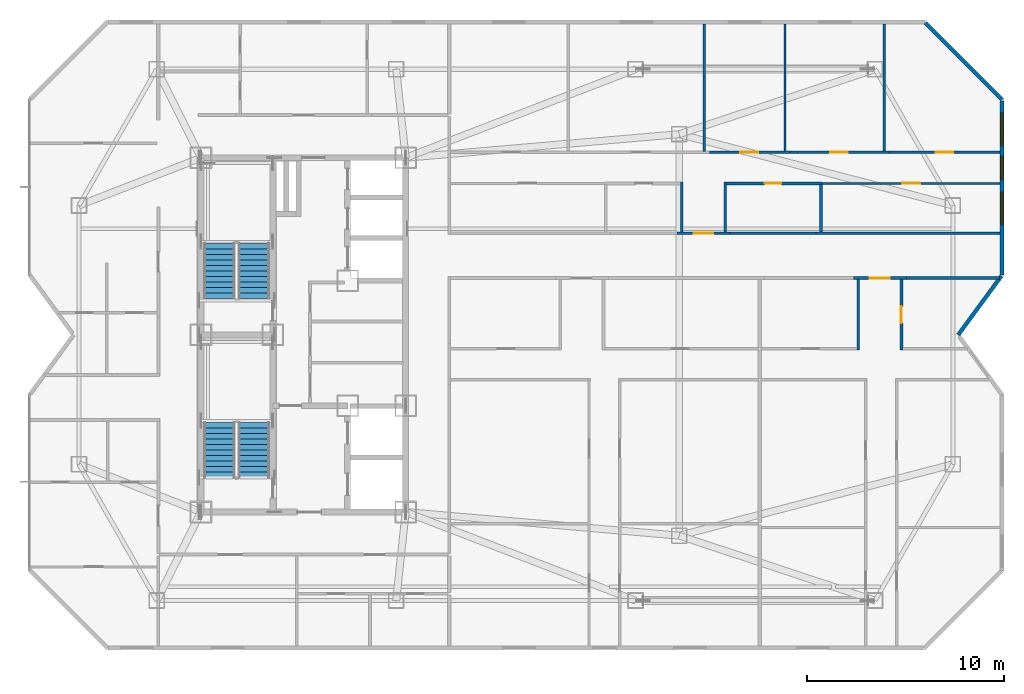
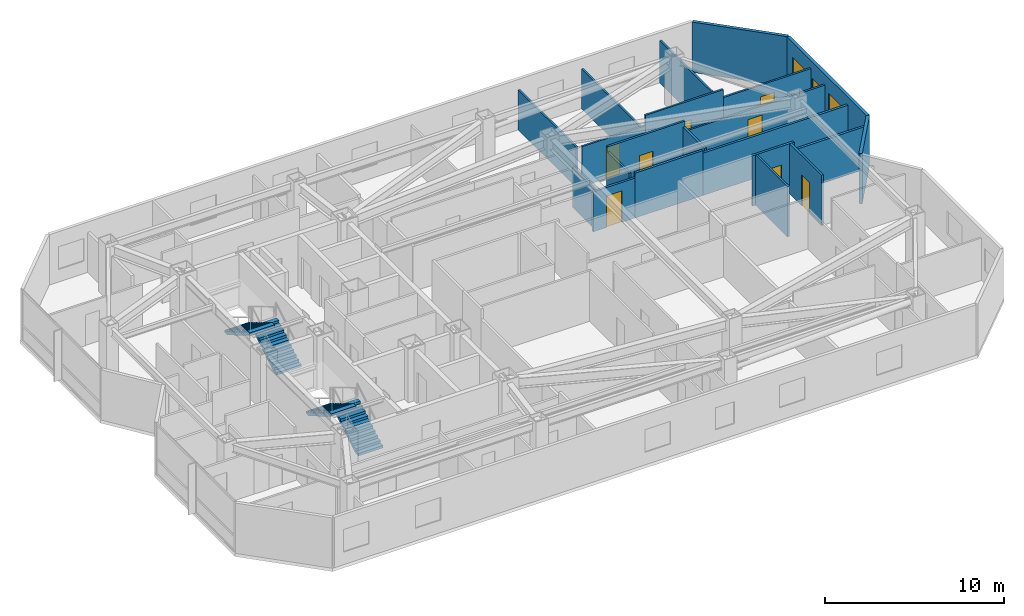
# One storey, part 14 of 15: 21 walls, 8 doors, 4 stair flights, 3 windows, 11 openings, 2 elements without a shape of their own.
"""IFC4 building model written with IfcOpenShell, lengths in metres."""

from ifc_helpers import new_model, si_unit, direction, frame, frame_2d, origin, place, context, subcontext, project, spatial, polyline, rectangle, outline, extrude, material, layer, layer_set, type_object, element, fill, aggregate, save


model = new_model("IFC4")

# Units and contexts
model_context = context("Model", 3, precision=1e-05, world=origin(), true_north=direction((0.0, 1.0)))
body_context = subcontext(model_context, "Body", "Model", "MODEL_VIEW")
ifc_project = project(units=[si_unit("LENGTHUNIT", "METRE"), si_unit("AREAUNIT", "SQUARE_METRE"), si_unit("VOLUMEUNIT", "CUBIC_METRE"), si_unit("PLANEANGLEUNIT", "RADIAN"), si_unit("MASSUNIT", "GRAM", prefix="KILO")], contexts=[model_context])

# Site, building, storey
site_placement = place(None, origin())
site = spatial("IfcSite", under=ifc_project, at=site_placement, CompositionType="ELEMENT")
building_placement = place(site_placement, origin())
building = spatial("IfcBuilding", under=site, at=building_placement, Name="Khamvora Tower", CompositionType="ELEMENT")
storey_placement = place(building_placement, frame((0.0, 0.0, 220.85009765625)))
storey = spatial("IfcBuildingStorey", under=building, at=storey_placement, Name="L56", CompositionType="ELEMENT", Elevation=220.85009765625)

# Wall, opening, door
ifc_material_1 = material(Name="Fire-Rated Drywall and Steel Stud", Category="steel")
ifc_layer_1 = layer(ifc_material_1, 0.14990234375)
ifc_layer_set_1 = layer_set([ifc_layer_1], Name="Fire-Rated Drywall and Steel Stud")
wall_type_1 = type_object("IfcWallType", Name="WAL-CORR-150", PredefinedType="STANDARD", material=ifc_layer_set_1)
wall_1_placement = place(storey_placement, frame((64.840087890625, 30.885009765625, 0.0), z_axis=(0.0, 0.0, 1.0), x_axis=(-1.0, 0.0, 0.0)))
wall_1 = element("IfcWall", 1, at=wall_1_placement, inside=storey, type_object=wall_type_1, Name="L56 interior partition wall 027", PredefinedType="STANDARD", context=body_context, shape_type="SweptSolid", body=[
    extrude(rectangle(XDim=2.697998046875, YDim=0.14990234375, at=frame_2d((1.34912109375, 0.0))), origin(), (0.0, 0.0, 1.0), 3.429931640625),
])
opening_1_placement = place(wall_1_placement, frame((0.84912109375, 0.0, 0.0)))
opening_1 = element("IfcOpeningElement", 2, at=opening_1_placement, cuts=wall_1, Name="Opening D-U1", PredefinedType="OPENING", context=body_context, shape_type="SweptSolid", body=[
    extrude(rectangle(XDim=1.0, YDim=2.14990234375, at=frame_2d((0.5, 1.074951171875))), frame((0.0, 0.0849609375, 0.0), z_axis=(0.0, -1.0, 0.0), x_axis=(1.0, 0.0, 0.0)), (0.0, 0.0, 1.0), 0.169921875),
])
ifc_material_2 = material(Name="Powder-Coated Steel and Hardwood Leaf", Category="steel")
door_type_1 = type_object("IfcDoorType", Name="DOR-UNIT-1000", OperationType="NOTDEFINED", PredefinedType="DOOR", material=ifc_material_2)
door_1_placement = place(opening_1_placement, origin())
door_1 = element("IfcDoor", 3, at=door_1_placement, inside=storey, type_object=door_type_1, Name="L56 interior door COR-56EBH", OperationType="SINGLE_SWING_LEFT", OverallHeight=2.14990234375, OverallWidth=1.0, PredefinedType="DOOR", context=body_context, shape_type="SweptSolid", body=[
    extrude(rectangle(XDim=1.0, YDim=2.14990234375, at=frame_2d((0.5, 1.074951171875))), frame((0.0, 0.02490234375, 0.0), z_axis=(0.0, -1.0, 0.0), x_axis=(1.0, 0.0, 0.0)), (0.0, 0.0, 1.0), 0.050048828125),
])
fill(opening_1, door_1)

# Walls
wall_2_placement = place(storey_placement, frame((69.56396484375, 30.885009765625, 0.0), z_axis=(0.0, 0.0, 1.0), x_axis=(-1.0, 0.0, 0.0)))
element("IfcWall", 4, at=wall_2_placement, inside=storey, type_object=wall_type_1, Name="L56 interior partition wall 028", PredefinedType="STANDARD", context=body_context, shape_type="SweptSolid", body=[
    extrude(rectangle(XDim=4.723876953125, YDim=0.14990234375, at=frame_2d((2.36181640625, 0.0))), origin(), (0.0, 0.0, 1.0), 2.886962890625),
])
wall_3_placement = place(storey_placement, frame((60.2509765625, 33.1650390625, 0.0), z_axis=(0.0, 0.0, 1.0), x_axis=(1.0, 0.0, 0.0)))
element("IfcWall", 5, at=wall_3_placement, inside=storey, type_object=wall_type_1, Name="L56 interior partition wall 032", PredefinedType="STANDARD", context=body_context, shape_type="SweptSolid", body=[
    extrude(rectangle(XDim=9.35693359375, YDim=0.14990234375, at=frame_2d((4.678466796875, 0.0))), origin(), (0.0, 0.0, 1.0), 2.886962890625),
])

# Wall, opening, door
wall_4_placement = place(storey_placement, frame((53.18603515625, 33.1650390625, 0.0), z_axis=(0.0, 0.0, 1.0), x_axis=(1.0, 0.0, 0.0)))
wall_4 = element("IfcWall", 6, at=wall_4_placement, inside=storey, type_object=wall_type_1, Name="L56 interior partition wall 034", PredefinedType="STANDARD", context=body_context, shape_type="SweptSolid", body=[
    extrude(rectangle(XDim=2.697998046875, YDim=0.14990234375, at=frame_2d((1.34912109375, 0.0))), origin(), (0.0, 0.0, 1.0), 2.724853515625),
])
opening_2_placement = place(wall_4_placement, frame((0.84912109375, 0.0, 0.0)))
opening_2 = element("IfcOpeningElement", 7, at=opening_2_placement, cuts=wall_4, Name="Opening D-U1", PredefinedType="OPENING", context=body_context, shape_type="SweptSolid", body=[
    extrude(rectangle(XDim=1.0, YDim=2.14990234375, at=frame_2d((0.5, 1.074951171875))), frame((0.0, 0.0849609375, 0.0), z_axis=(0.0, -1.0, 0.0), x_axis=(1.0, 0.0, 0.0)), (0.0, 0.0, 1.0), 0.169921875),
])
door_2_placement = place(opening_2_placement, origin())
door_2 = element("IfcDoor", 8, at=door_2_placement, inside=storey, type_object=door_type_1, Name="L56 interior door COR-56ECH", OperationType="SINGLE_SWING_RIGHT", OverallHeight=2.14990234375, OverallWidth=1.0, PredefinedType="DOOR", context=body_context, shape_type="SweptSolid", body=[
    extrude(rectangle(XDim=1.0, YDim=2.14990234375, at=frame_2d((0.5, 1.074951171875))), frame((0.0, 0.02490234375, 0.0), z_axis=(0.0, -1.0, 0.0), x_axis=(1.0, 0.0, 0.0)), (0.0, 0.0, 1.0), 0.050048828125),
])
fill(opening_2, door_2)

# Walls
wall_5_placement = place(storey_placement, frame((55.884033203125, 33.1650390625, 0.0), z_axis=(0.0, 0.0, 1.0), x_axis=(1.0, 0.0, 0.0)))
element("IfcWall", 9, at=wall_5_placement, inside=storey, type_object=wall_type_1, Name="L56 interior partition wall 036", PredefinedType="STANDARD", context=body_context, shape_type="SweptSolid", body=[
    extrude(rectangle(XDim=4.366943359375, YDim=0.14990234375, at=frame_2d((2.18359375, 0.0))), origin(), (0.0, 0.0, 1.0), 3.06494140625),
])
ifc_material_3 = material(Name="Precast concrete C40/50", Category="concrete")
ifc_layer_2 = layer(ifc_material_3, 0.199951171875)
ifc_layer_set_2 = layer_set([ifc_layer_2], Name="Precast concrete C40/50")
wall_type_2 = type_object("IfcWallType", Name="WAL-EXT-200", PredefinedType="STANDARD", material=ifc_layer_set_2)
wall_6_placement = place(storey_placement, frame((65.802001953125, 43.85693359375, 0.0), z_axis=(0.0, 0.0, 1.0), x_axis=(0.707106781187, -0.707106781187, 0.0)))
element("IfcWall", 10, at=wall_6_placement, inside=storey, type_object=wall_type_2, Name="L56 exterior facade wall 08.1", PredefinedType="STANDARD", context=body_context, shape_type="SweptSolid", body=[
    extrude(rectangle(XDim=5.512451171875, YDim=0.199951171875, at=frame_2d((2.75634765625, 0.0))), origin(), (0.0, 0.0, 1.0), 3.429931640625),
])

# Wall, openings, windows
wall_7_placement = place(storey_placement, frame((69.699951171875, 39.89599609375, 0.0), z_axis=(0.0, 0.0, 1.0), x_axis=(0.0, -1.0, 0.0)))
wall_7 = element("IfcWall", 11, at=wall_7_placement, inside=storey, type_object=wall_type_2, Name="L56 exterior facade wall 09.1", PredefinedType="STANDARD", context=body_context, shape_type="SweptSolid", body=[
    extrude(rectangle(XDim=8.863037109375, YDim=0.199951171875, at=frame_2d((4.431640625, 0.0))), origin(), (0.0, 0.0, 1.0), 3.429931640625),
])
opening_3_placement = place(wall_7_placement, frame((4.64111328125, 0.0, 0.85009765625)))
opening_3 = element("IfcOpeningElement", 12, at=opening_3_placement, cuts=wall_7, Name="Opening WN-06", PredefinedType="OPENING", context=body_context, shape_type="SweptSolid", body=[
    extrude(rectangle(XDim=1.64990234375, YDim=1.550048828125, at=frame_2d((0.824951171875, 0.77490234375))), frame((0.0, 0.10986328125, 0.0), z_axis=(0.0, -1.0, 0.0), x_axis=(1.0, 0.0, 0.0)), (0.0, 0.0, 1.0), 0.219970703125),
])
opening_4_placement = place(wall_7_placement, frame((2.81103515625, 0.0, 0.800048828125)))
opening_4 = element("IfcOpeningElement", 13, at=opening_4_placement, cuts=wall_7, Name="Opening WN-03", PredefinedType="OPENING", context=body_context, shape_type="SweptSolid", body=[
    extrude(rectangle(XDim=1.199951171875, YDim=1.5, at=frame_2d((0.60009765625, 0.75))), frame((0.0, 0.10986328125, 0.0), z_axis=(0.0, -1.0, 0.0), x_axis=(1.0, 0.0, 0.0)), (0.0, 0.0, 1.0), 0.219970703125),
])
opening_5_placement = place(wall_7_placement, frame((0.6279296875, 0.0, 0.85009765625)))
opening_5 = element("IfcOpeningElement", 14, at=opening_5_placement, cuts=wall_7, Name="Opening WN-06", PredefinedType="OPENING", context=body_context, shape_type="SweptSolid", body=[
    extrude(rectangle(XDim=1.64990234375, YDim=1.550048828125, at=frame_2d((0.824951171875, 0.77490234375))), frame((0.0, 0.10986328125, 0.0), z_axis=(0.0, -1.0, 0.0), x_axis=(1.0, 0.0, 0.0)), (0.0, 0.0, 1.0), 0.219970703125),
])
ifc_material_4 = material(Name="Low-E Laminated Double Glazing", Category="glass")
window_type_1 = type_object("IfcWindowType", Name="WIN-VIS-1200x1500", PartitioningType="SINGLE_PANEL", PredefinedType="WINDOW", material=ifc_material_4)
window_1_placement = place(opening_4_placement, origin())
window_1 = element("IfcWindow", 15, at=window_1_placement, inside=storey, type_object=window_type_1, Name="L56 vision window 09.1.02", OverallHeight=1.5, OverallWidth=1.199951171875, PartitioningType="SINGLE_PANEL", PredefinedType="WINDOW", context=body_context, shape_type="SweptSolid", body=[
    extrude(rectangle(XDim=1.199951171875, YDim=1.5, at=frame_2d((0.60009765625, 0.75))), frame((0.0, 0.030029296875, 0.0), z_axis=(0.0, -1.0, 0.0), x_axis=(1.0, 0.0, 0.0)), (0.0, 0.0, 1.0), 0.06005859375),
])
fill(opening_4, window_1)
window_type_2 = type_object("IfcWindowType", Name="WIN-VIS-1650x1550", PartitioningType="SINGLE_PANEL", PredefinedType="WINDOW", material=ifc_material_4)
window_2_placement = place(opening_3_placement, origin())
window_2 = element("IfcWindow", 16, at=window_2_placement, inside=storey, type_object=window_type_2, Name="L56 vision window 09.1.01", OverallHeight=1.550048828125, OverallWidth=1.64990234375, PartitioningType="SINGLE_PANEL", PredefinedType="WINDOW", context=body_context, shape_type="SweptSolid", body=[
    extrude(rectangle(XDim=1.64990234375, YDim=1.550048828125, at=frame_2d((0.824951171875, 0.77490234375))), frame((0.0, 0.030029296875, 0.0), z_axis=(0.0, -1.0, 0.0), x_axis=(1.0, 0.0, 0.0)), (0.0, 0.0, 1.0), 0.06005859375),
])
fill(opening_3, window_2)
window_3_placement = place(opening_5_placement, origin())
window_3 = element("IfcWindow", 17, at=window_3_placement, inside=storey, type_object=window_type_2, Name="L56 vision window 09.1.03", OverallHeight=1.550048828125, OverallWidth=1.64990234375, PartitioningType="SINGLE_PANEL", PredefinedType="WINDOW", context=body_context, shape_type="SweptSolid", body=[
    extrude(rectangle(XDim=1.64990234375, YDim=1.550048828125, at=frame_2d((0.824951171875, 0.77490234375))), frame((0.0, 0.030029296875, 0.0), z_axis=(0.0, -1.0, 0.0), x_axis=(1.0, 0.0, 0.0)), (0.0, 0.0, 1.0), 0.06005859375),
])
fill(opening_5, window_3)

# Wall
wall_8_placement = place(storey_placement, frame((69.669921875, 30.991943359375, 0.0), z_axis=(0.0, 0.0, 1.0), x_axis=(-0.591320870733, -0.806436375566, 0.0)))
element("IfcWall", 18, at=wall_8_placement, inside=storey, type_object=wall_type_2, Name="L56 exterior facade wall 10.1", PredefinedType="STANDARD", context=body_context, shape_type="SweptSolid", body=[
    extrude(rectangle(XDim=3.7099609375, YDim=0.199951171875, at=frame_2d((1.85498046875, 0.0))), origin(), (0.0, 0.0, 1.0), 3.429931640625),
])

# Wall, opening, door
ifc_material_5 = material(Name="Gypsum Plasterboard Partition", Category="gypsum")
ifc_layer_3 = layer(ifc_material_5, 0.1201171875)
ifc_layer_set_3 = layer_set([ifc_layer_3], Name="Gypsum Plasterboard Partition")
wall_type_3 = type_object("IfcWallType", Name="WAL-PART-120", PredefinedType="PARTITIONING", material=ifc_layer_set_3)
wall_9_placement = place(storey_placement, frame((60.56494140625, 35.695068359375, 0.0), z_axis=(0.0, 0.0, 1.0), x_axis=(1.0, 0.0, 0.0)))
wall_9 = element("IfcWall", 19, at=wall_9_placement, inside=storey, type_object=wall_type_3, Name="L56 interior partition wall 092", PredefinedType="PARTITIONING", context=body_context, shape_type="SweptSolid", body=[
    extrude(rectangle(XDim=9.04296875, YDim=0.1201171875, at=frame_2d((4.521484375, 0.0))), origin(), (0.0, 0.0, 1.0), 2.724853515625),
])
opening_6_placement = place(wall_9_placement, frame((4.071044921875, 0.0, 0.0)))
opening_6 = element("IfcOpeningElement", 20, at=opening_6_placement, cuts=wall_9, Name="Opening D-RM1", PredefinedType="OPENING", context=body_context, shape_type="SweptSolid", body=[
    extrude(rectangle(XDim=0.89990234375, YDim=2.10009765625, at=frame_2d((0.449951171875, 1.050048828125))), frame((0.0, 0.070068359375, 0.0), z_axis=(0.0, -1.0, 0.0), x_axis=(1.0, 0.0, 0.0)), (0.0, 0.0, 1.0), 0.14013671875),
])
door_type_2 = type_object("IfcDoorType", Name="DOR-ROOM-900", OperationType="NOTDEFINED", PredefinedType="DOOR", material=ifc_material_2)
door_3_placement = place(opening_6_placement, origin())
door_3 = element("IfcDoor", 21, at=door_3_placement, inside=storey, type_object=door_type_2, Name="L56 interior door 56ECW2-56ECH", OperationType="SINGLE_SWING_LEFT", OverallHeight=2.10009765625, OverallWidth=0.89990234375, PredefinedType="DOOR", context=body_context, shape_type="SweptSolid", body=[
    extrude(rectangle(XDim=0.89990234375, YDim=2.10009765625, at=frame_2d((0.449951171875, 1.050048828125))), frame((0.0, 0.02490234375, 0.0), z_axis=(0.0, -1.0, 0.0), x_axis=(1.0, 0.0, 0.0)), (0.0, 0.0, 1.0), 0.050048828125),
])
fill(opening_6, door_3)

wall_10_placement = place(storey_placement, frame((54.8291015625, 37.27490234375, 0.0), z_axis=(0.0, 0.0, 1.0), x_axis=(1.0, 0.0, 0.0)))
wall_10 = element("IfcWall", 22, at=wall_10_placement, inside=storey, type_object=wall_type_3, Name="L56 interior partition wall 100", PredefinedType="PARTITIONING", context=body_context, shape_type="SweptSolid", body=[
    extrude(rectangle(XDim=4.094970703125, YDim=0.1201171875, at=frame_2d((2.04736328125, 0.0))), origin(), (0.0, 0.0, 1.0), 2.724853515625),
])
opening_7_placement = place(wall_10_placement, frame((1.575927734375, 0.0, 0.0)))
opening_7 = element("IfcOpeningElement", 23, at=opening_7_placement, cuts=wall_10, Name="Opening D-RM1", PredefinedType="OPENING", context=body_context, shape_type="SweptSolid", body=[
    extrude(rectangle(XDim=0.89990234375, YDim=2.10009765625, at=frame_2d((0.449951171875, 1.050048828125))), frame((0.0, 0.070068359375, 0.0), z_axis=(0.0, -1.0, 0.0), x_axis=(1.0, 0.0, 0.0)), (0.0, 0.0, 1.0), 0.14013671875),
])
door_4_placement = place(opening_7_placement, origin())
door_4 = element("IfcDoor", 24, at=door_4_placement, inside=storey, type_object=door_type_2, Name="L56 interior door 56ECH-56ECR3", OperationType="SINGLE_SWING_RIGHT", OverallHeight=2.10009765625, OverallWidth=0.89990234375, PredefinedType="DOOR", context=body_context, shape_type="SweptSolid", body=[
    extrude(rectangle(XDim=0.89990234375, YDim=2.10009765625, at=frame_2d((0.449951171875, 1.050048828125))), frame((0.0, 0.02490234375, 0.0), z_axis=(0.0, -1.0, 0.0), x_axis=(1.0, 0.0, 0.0)), (0.0, 0.0, 1.0), 0.050048828125),
])
fill(opening_7, door_4)

wall_11_placement = place(storey_placement, frame((58.924072265625, 37.27490234375, 0.0), z_axis=(0.0, 0.0, 1.0), x_axis=(1.0, 0.0, 0.0)))
wall_11 = element("IfcWall", 25, at=wall_11_placement, inside=storey, type_object=wall_type_3, Name="L56 interior partition wall 101", PredefinedType="PARTITIONING", context=body_context, shape_type="SweptSolid", body=[
    extrude(rectangle(XDim=5.035888671875, YDim=0.1201171875, at=frame_2d((2.51806640625, 0.0))), origin(), (0.0, 0.0, 1.0), 3.429931640625),
])
opening_8_placement = place(wall_11_placement, frame((2.047119140625, 0.0, 0.0)))
opening_8 = element("IfcOpeningElement", 26, at=opening_8_placement, cuts=wall_11, Name="Opening D-RM1", PredefinedType="OPENING", context=body_context, shape_type="SweptSolid", body=[
    extrude(rectangle(XDim=0.89990234375, YDim=2.10009765625, at=frame_2d((0.449951171875, 1.050048828125))), frame((0.0, 0.070068359375, 0.0), z_axis=(0.0, -1.0, 0.0), x_axis=(1.0, 0.0, 0.0)), (0.0, 0.0, 1.0), 0.14013671875),
])
door_5_placement = place(opening_8_placement, origin())
door_5 = element("IfcDoor", 27, at=door_5_placement, inside=storey, type_object=door_type_2, Name="L56 interior door 56ECH-56ECR4", OperationType="SINGLE_SWING_LEFT", OverallHeight=2.10009765625, OverallWidth=0.89990234375, PredefinedType="DOOR", context=body_context, shape_type="SweptSolid", body=[
    extrude(rectangle(XDim=0.89990234375, YDim=2.10009765625, at=frame_2d((0.449951171875, 1.050048828125))), frame((0.0, 0.02490234375, 0.0), z_axis=(0.0, -1.0, 0.0), x_axis=(1.0, 0.0, 0.0)), (0.0, 0.0, 1.0), 0.050048828125),
])
fill(opening_8, door_5)

wall_12_placement = place(storey_placement, frame((63.9599609375, 37.27490234375, 0.0), z_axis=(0.0, 0.0, 1.0), x_axis=(1.0, 0.0, 0.0)))
wall_12 = element("IfcWall", 28, at=wall_12_placement, inside=storey, type_object=wall_type_3, Name="L56 interior partition wall 102", PredefinedType="PARTITIONING", context=body_context, shape_type="SweptSolid", body=[
    extrude(rectangle(XDim=5.64794921875, YDim=0.1201171875, at=frame_2d((2.823974609375, 0.0))), origin(), (0.0, 0.0, 1.0), 2.886962890625),
])
opening_9_placement = place(wall_12_placement, frame((2.3740234375, 0.0, 0.0)))
opening_9 = element("IfcOpeningElement", 29, at=opening_9_placement, cuts=wall_12, Name="Opening D-RM1", PredefinedType="OPENING", context=body_context, shape_type="SweptSolid", body=[
    extrude(rectangle(XDim=0.89990234375, YDim=2.10009765625, at=frame_2d((0.449951171875, 1.050048828125))), frame((0.0, 0.070068359375, 0.0), z_axis=(0.0, -1.0, 0.0), x_axis=(1.0, 0.0, 0.0)), (0.0, 0.0, 1.0), 0.14013671875),
])
door_6_placement = place(opening_9_placement, origin())
door_6 = element("IfcDoor", 30, at=door_6_placement, inside=storey, type_object=door_type_2, Name="L56 interior door 56ECH-56ECR5", OperationType="SINGLE_SWING_RIGHT", OverallHeight=2.10009765625, OverallWidth=0.89990234375, PredefinedType="DOOR", context=body_context, shape_type="SweptSolid", body=[
    extrude(rectangle(XDim=0.89990234375, YDim=2.10009765625, at=frame_2d((0.449951171875, 1.050048828125))), frame((0.0, 0.02490234375, 0.0), z_axis=(0.0, -1.0, 0.0), x_axis=(1.0, 0.0, 0.0)), (0.0, 0.0, 1.0), 0.050048828125),
])
fill(opening_9, door_6)

# Walls
for number, where, z_axis, x_axis, name in (
    (31, (54.5791015625, 43.80810546875, 0.0), (0.0, 0.0, 1.0), (0.0, -1.0, 0.0), "L56 interior partition wall 104"),
    (32, (58.674072265625, 43.80810546875, 0.0), (0.0, 0.0, 1.0), (0.0, -1.0, 0.0), "L56 interior partition wall 105"),
):
    element("IfcWall", number, at=place(storey_placement, frame(where, z_axis=z_axis, x_axis=x_axis)), inside=storey, type_object=wall_type_3, Name=name, PredefinedType="PARTITIONING", context=body_context, shape_type="SweptSolid", body=[
        extrude(rectangle(XDim=6.47900390625, YDim=0.1201171875, at=frame_2d((3.239501953125, 0.0))), origin(), (0.0, 0.0, 1.0), 2.724853515625),
    ])
wall_13_placement = place(storey_placement, frame((63.7109375, 43.80810546875, 0.0), z_axis=(0.0, 0.0, 1.0), x_axis=(0.0, -1.0, 0.0)))
element("IfcWall", 33, at=wall_13_placement, inside=storey, type_object=wall_type_3, Name="L56 interior partition wall 106", PredefinedType="PARTITIONING", context=body_context, shape_type="SweptSolid", body=[
    extrude(rectangle(XDim=6.47900390625, YDim=0.1201171875, at=frame_2d((3.239501953125, 0.0))), origin(), (0.0, 0.0, 1.0), 2.886962890625),
])

# Wall, opening, door
ifc_material_6 = material(Name="Moisture-Resistant Plasterboard Partition", Category="gypsum")
ifc_layer_4 = layer(ifc_material_6, 0.135009765625)
ifc_layer_set_4 = layer_set([ifc_layer_4], Name="Moisture-Resistant Plasterboard Partition")
wall_type_4 = type_object("IfcWallType", Name="WAL-WET-135", PredefinedType="PARTITIONING", material=ifc_layer_set_4)
wall_14_placement = place(storey_placement, frame((64.591064453125, 30.820068359375, 0.0), z_axis=(0.0, 0.0, 1.0), x_axis=(0.0, -1.0, 0.0)))
wall_14 = element("IfcWall", 34, at=wall_14_placement, inside=storey, type_object=wall_type_4, Name="L56 interior partition wall 078", PredefinedType="PARTITIONING", context=body_context, shape_type="SweptSolid", body=[
    extrude(rectangle(XDim=3.580078125, YDim=0.135009765625, at=frame_2d((1.7900390625, 0.0))), origin(), (0.0, 0.0, 1.0), 3.429931640625),
])
opening_10_placement = place(wall_14_placement, frame((1.364990234375, 0.0, 0.0)))
opening_10 = element("IfcOpeningElement", 35, at=opening_10_placement, cuts=wall_14, Name="Opening D-WC1", PredefinedType="OPENING", context=body_context, shape_type="SweptSolid", body=[
    extrude(rectangle(XDim=0.85009765625, YDim=2.10009765625, at=frame_2d((0.425048828125, 1.050048828125))), frame((0.0, 0.077392578125, 0.0), z_axis=(0.0, -1.0, 0.0), x_axis=(1.0, 0.0, 0.0)), (0.0, 0.0, 1.0), 0.155029296875),
])
door_type_3 = type_object("IfcDoorType", Name="DOR-WET-850", OperationType="NOTDEFINED", PredefinedType="DOOR", material=ifc_material_2)
door_7_placement = place(opening_10_placement, origin())
door_7 = element("IfcDoor", 36, at=door_7_placement, inside=storey, type_object=door_type_3, Name="L56 interior door 56EBH-56EBB", OperationType="SINGLE_SWING_LEFT", OverallHeight=2.10009765625, OverallWidth=0.85009765625, PredefinedType="DOOR", context=body_context, shape_type="SweptSolid", body=[
    extrude(rectangle(XDim=0.85009765625, YDim=2.10009765625, at=frame_2d((0.425048828125, 1.050048828125))), frame((0.0, 0.02490234375, 0.0), z_axis=(0.0, -1.0, 0.0), x_axis=(1.0, 0.0, 0.0)), (0.0, 0.0, 1.0), 0.050048828125),
])
fill(opening_10, door_7)

# Walls
wall_15_placement = place(storey_placement, frame((62.39111328125, 27.239990234375, 0.0), z_axis=(0.0, 0.0, 1.0), x_axis=(0.0, 1.0, 0.0)))
element("IfcWall", 37, at=wall_15_placement, inside=storey, type_object=wall_type_4, Name="L56 interior partition wall 081", PredefinedType="PARTITIONING", context=body_context, shape_type="SweptSolid", body=[
    extrude(rectangle(XDim=3.580078125, YDim=0.135009765625, at=frame_2d((1.7900390625, 0.0))), origin(), (0.0, 0.0, 1.0), 3.429931640625),
])
wall_16_placement = place(storey_placement, frame((60.5, 33.23193359375, 0.0), z_axis=(0.0, 0.0, 1.0), x_axis=(0.0, 1.0, 0.0)))
element("IfcWall", 38, at=wall_16_placement, inside=storey, type_object=wall_type_4, Name="L56 interior partition wall 093", PredefinedType="PARTITIONING", context=body_context, shape_type="SweptSolid", body=[
    extrude(rectangle(XDim=2.39794921875, YDim=0.135009765625, at=frame_2d((1.198974609375, 0.0))), origin(), (0.0, 0.0, 1.0), 3.06494140625),
])
wall_17_placement = place(storey_placement, frame((53.43505859375, 33.23193359375, 0.0), z_axis=(0.0, 0.0, 1.0), x_axis=(0.0, 1.0, 0.0)))
element("IfcWall", 39, at=wall_17_placement, inside=storey, type_object=wall_type_4, Name="L56 interior partition wall 094", PredefinedType="PARTITIONING", context=body_context, shape_type="SweptSolid", body=[
    extrude(rectangle(XDim=2.528076171875, YDim=0.135009765625, at=frame_2d((1.26416015625, 0.0))), origin(), (0.0, 0.0, 1.0), 2.724853515625),
])

# Wall, opening, door
wall_18_placement = place(storey_placement, frame((60.56494140625, 35.695068359375, 0.0), z_axis=(0.0, 0.0, 1.0), x_axis=(-1.0, 0.0, 0.0)))
wall_18 = element("IfcWall", 40, at=wall_18_placement, inside=storey, type_object=wall_type_4, Name="L56 interior partition wall 096", PredefinedType="PARTITIONING", context=body_context, shape_type="SweptSolid", body=[
    extrude(rectangle(XDim=4.994873046875, YDim=0.135009765625, at=frame_2d((2.49755859375, 0.0))), origin(), (0.0, 0.0, 1.0), 3.429931640625),
])
opening_11_placement = place(wall_18_placement, frame((2.072998046875, 0.0, 0.0)))
opening_11 = element("IfcOpeningElement", 41, at=opening_11_placement, cuts=wall_18, Name="Opening D-RM2", PredefinedType="OPENING", context=body_context, shape_type="SweptSolid", body=[
    extrude(rectangle(XDim=0.85009765625, YDim=2.10009765625, at=frame_2d((0.425048828125, 1.050048828125))), frame((0.0, 0.077392578125, 0.0), z_axis=(0.0, -1.0, 0.0), x_axis=(1.0, 0.0, 0.0)), (0.0, 0.0, 1.0), 0.155029296875),
])
door_type_4 = type_object("IfcDoorType", Name="DOR-ROOM-850", OperationType="NOTDEFINED", PredefinedType="DOOR", material=ifc_material_2)
door_8_placement = place(opening_11_placement, origin())
door_8 = element("IfcDoor", 42, at=door_8_placement, inside=storey, type_object=door_type_4, Name="L56 interior door 56ECH-56ECK", OperationType="SINGLE_SWING_LEFT", OverallHeight=2.10009765625, OverallWidth=0.85009765625, PredefinedType="DOOR", context=body_context, shape_type="SweptSolid", body=[
    extrude(rectangle(XDim=0.85009765625, YDim=2.10009765625, at=frame_2d((0.425048828125, 1.050048828125))), frame((0.0, 0.02490234375, 0.0), z_axis=(0.0, -1.0, 0.0), x_axis=(1.0, 0.0, 0.0)), (0.0, 0.0, 1.0), 0.050048828125),
])
fill(opening_11, door_8)

# Wall
wall_19_placement = place(storey_placement, frame((55.635009765625, 35.760009765625, 0.0), z_axis=(0.0, 0.0, 1.0), x_axis=(0.0, -1.0, 0.0)))
element("IfcWall", 43, at=wall_19_placement, inside=storey, type_object=wall_type_4, Name="L56 interior partition wall 097", PredefinedType="PARTITIONING", context=body_context, shape_type="SweptSolid", body=[
    extrude(rectangle(XDim=2.528076171875, YDim=0.135009765625, at=frame_2d((1.26416015625, 0.0))), origin(), (0.0, 0.0, 1.0), 3.06494140625),
])

# Stair, stair flights
ifc_material_7 = material(Name="Concrete C40/50", Category="concrete")
stair_type_1 = type_object("IfcStairType", Name="STR-ST-01", PredefinedType="HALF_TURN_STAIR", material=ifc_material_7)
stair_1_placement = place(storey_placement, origin())
stair_1 = element("IfcStair", 44, at=stair_1_placement, inside=storey, type_object=stair_type_1, Name="L56 South Tower Exit Stair ST-01", PredefinedType="HALF_TURN_STAIR")
stair_flight_type_1 = type_object("IfcStairFlightType", Name="STF-ST-01", PredefinedType="STRAIGHT", material=ifc_material_7)
stair_flight_1_placement = place(storey_placement, frame((31.699951171875, 20.75, 0.0), z_axis=(0.0, 0.0, 1.0), x_axis=(0.0, 1.0, 0.0)))
stair_flight_1 = element("IfcStairFlight", 45, at=stair_flight_1_placement, type_object=stair_flight_type_1, Name="ST-01 flight 1", NumberOfRisers=11, NumberOfTreads=10, PredefinedType="STRAIGHT", RiserHeight=0.165909091, TreadLength=0.28, context=body_context, shape_type="SweptSolid", body=[
    extrude(outline(polyline([(0.0, 0.0), (0.0, 0.166015625), (0.280029296875, 0.166015625), (0.280029296875, 0.331787109375), (0.56005859375, 0.331787109375), (0.56005859375, 0.497802734375), (0.840087890625, 0.497802734375), (0.840087890625, 0.66357421875), (1.1201171875, 0.66357421875), (1.1201171875, 0.82958984375), (1.39990234375, 0.82958984375), (1.39990234375, 0.995361328125), (1.679931640625, 0.995361328125), (1.679931640625, 1.161376953125), (1.9599609375, 1.161376953125), (1.9599609375, 1.327392578125), (2.239990234375, 1.327392578125), (2.239990234375, 1.4931640625), (2.52001953125, 1.4931640625), (2.52001953125, 1.6591796875), (2.800048828125, 1.6591796875), (2.800048828125, 1.824951171875), (2.800048828125, 1.48486328125), (0.2939453125, 0.0), (0.0, 0.0)])), frame((0.0, 0.800048828125, 0.0), z_axis=(0.0, -1.0, 0.0), x_axis=(1.0, 0.0, 0.0)), (0.0, 0.0, 1.0), 1.60009765625),
])
stair_flight_2_placement = place(storey_placement, frame((29.949951171875, 23.550048828125, 1.824951171875), z_axis=(0.0, 0.0, 1.0), x_axis=(0.0, -1.0, 0.0)))
stair_flight_2 = element("IfcStairFlight", 46, at=stair_flight_2_placement, type_object=stair_flight_type_1, Name="ST-01 flight 2", NumberOfRisers=11, NumberOfTreads=10, PredefinedType="STRAIGHT", RiserHeight=0.165909091, TreadLength=0.28, context=body_context, shape_type="SweptSolid", body=[
    extrude(outline(polyline([(0.0, 0.0), (0.0, 0.166015625), (0.280029296875, 0.166015625), (0.280029296875, 0.331787109375), (0.56005859375, 0.331787109375), (0.56005859375, 0.497802734375), (0.840087890625, 0.497802734375), (0.840087890625, 0.66357421875), (1.1201171875, 0.66357421875), (1.1201171875, 0.82958984375), (1.39990234375, 0.82958984375), (1.39990234375, 0.995361328125), (1.679931640625, 0.995361328125), (1.679931640625, 1.161376953125), (1.9599609375, 1.161376953125), (1.9599609375, 1.327392578125), (2.239990234375, 1.327392578125), (2.239990234375, 1.4931640625), (2.52001953125, 1.4931640625), (2.52001953125, 1.6591796875), (2.800048828125, 1.6591796875), (2.800048828125, 1.824951171875), (2.800048828125, 1.48486328125), (0.2939453125, 0.0), (0.0, 0.0)])), frame((0.0, 0.800048828125, 0.0), z_axis=(0.0, -1.0, 0.0), x_axis=(1.0, 0.0, 0.0)), (0.0, 0.0, 1.0), 1.60009765625),
])
aggregate(stair_1, [stair_flight_1, stair_flight_2])

stair_type_2 = type_object("IfcStairType", Name="STR-ST-02", PredefinedType="HALF_TURN_STAIR", material=ifc_material_7)
stair_2_placement = place(storey_placement, origin())
stair_2 = element("IfcStair", 47, at=stair_2_placement, inside=storey, type_object=stair_type_2, Name="L56 North Tower Exit Stair ST-02", PredefinedType="HALF_TURN_STAIR")
stair_flight_type_2 = type_object("IfcStairFlightType", Name="STF-ST-02", PredefinedType="STRAIGHT", material=ifc_material_7)
stair_flight_3_placement = place(storey_placement, frame((31.699951171875, 29.85009765625, 0.0), z_axis=(0.0, 0.0, 1.0), x_axis=(0.0, 1.0, 0.0)))
stair_flight_3 = element("IfcStairFlight", 48, at=stair_flight_3_placement, type_object=stair_flight_type_2, Name="ST-02 flight 1", NumberOfRisers=11, NumberOfTreads=10, PredefinedType="STRAIGHT", RiserHeight=0.165909091, TreadLength=0.28, context=body_context, shape_type="SweptSolid", body=[
    extrude(outline(polyline([(0.0, 0.0), (0.0, 0.166015625), (0.280029296875, 0.166015625), (0.280029296875, 0.331787109375), (0.56005859375, 0.331787109375), (0.56005859375, 0.497802734375), (0.840087890625, 0.497802734375), (0.840087890625, 0.66357421875), (1.1201171875, 0.66357421875), (1.1201171875, 0.82958984375), (1.39990234375, 0.82958984375), (1.39990234375, 0.995361328125), (1.679931640625, 0.995361328125), (1.679931640625, 1.161376953125), (1.9599609375, 1.161376953125), (1.9599609375, 1.327392578125), (2.239990234375, 1.327392578125), (2.239990234375, 1.4931640625), (2.52001953125, 1.4931640625), (2.52001953125, 1.6591796875), (2.800048828125, 1.6591796875), (2.800048828125, 1.824951171875), (2.800048828125, 1.48486328125), (0.2939453125, 0.0), (0.0, 0.0)])), frame((0.0, 0.800048828125, 0.0), z_axis=(0.0, -1.0, 0.0), x_axis=(1.0, 0.0, 0.0)), (0.0, 0.0, 1.0), 1.60009765625),
])
stair_flight_4_placement = place(storey_placement, frame((29.949951171875, 32.64990234375, 1.824951171875), z_axis=(0.0, 0.0, 1.0), x_axis=(0.0, -1.0, 0.0)))
stair_flight_4 = element("IfcStairFlight", 49, at=stair_flight_4_placement, type_object=stair_flight_type_2, Name="ST-02 flight 2", NumberOfRisers=11, NumberOfTreads=10, PredefinedType="STRAIGHT", RiserHeight=0.165909091, TreadLength=0.28, context=body_context, shape_type="SweptSolid", body=[
    extrude(outline(polyline([(0.0, 0.0), (0.0, 0.166015625), (0.280029296875, 0.166015625), (0.280029296875, 0.331787109375), (0.56005859375, 0.331787109375), (0.56005859375, 0.497802734375), (0.840087890625, 0.497802734375), (0.840087890625, 0.66357421875), (1.1201171875, 0.66357421875), (1.1201171875, 0.82958984375), (1.39990234375, 0.82958984375), (1.39990234375, 0.995361328125), (1.679931640625, 0.995361328125), (1.679931640625, 1.161376953125), (1.9599609375, 1.161376953125), (1.9599609375, 1.327392578125), (2.239990234375, 1.327392578125), (2.239990234375, 1.4931640625), (2.52001953125, 1.4931640625), (2.52001953125, 1.6591796875), (2.800048828125, 1.6591796875), (2.800048828125, 1.824951171875), (2.800048828125, 1.48486328125), (0.2939453125, 0.0), (0.0, 0.0)])), frame((0.0, 0.800048828125, 0.0), z_axis=(0.0, -1.0, 0.0), x_axis=(1.0, 0.0, 0.0)), (0.0, 0.0, 1.0), 1.60009765625),
])
aggregate(stair_2, [stair_flight_3, stair_flight_4])

save(model, "model.ifc")
